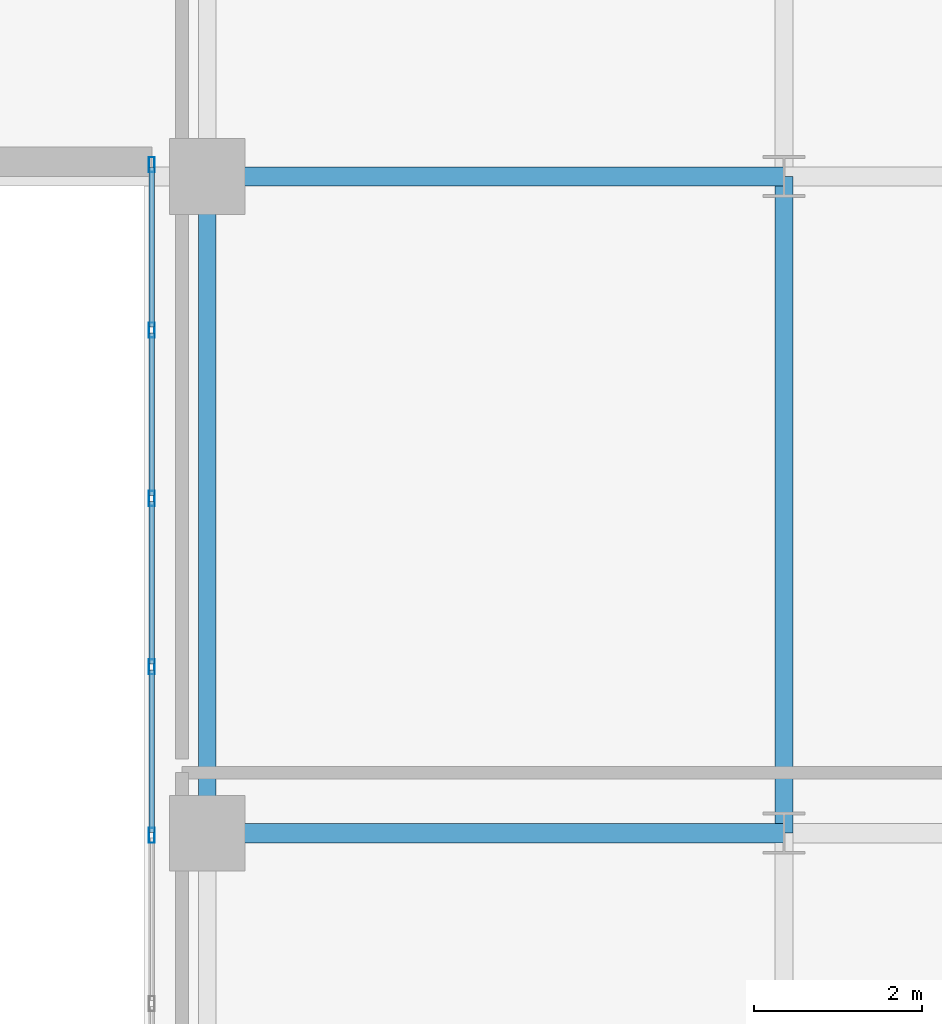
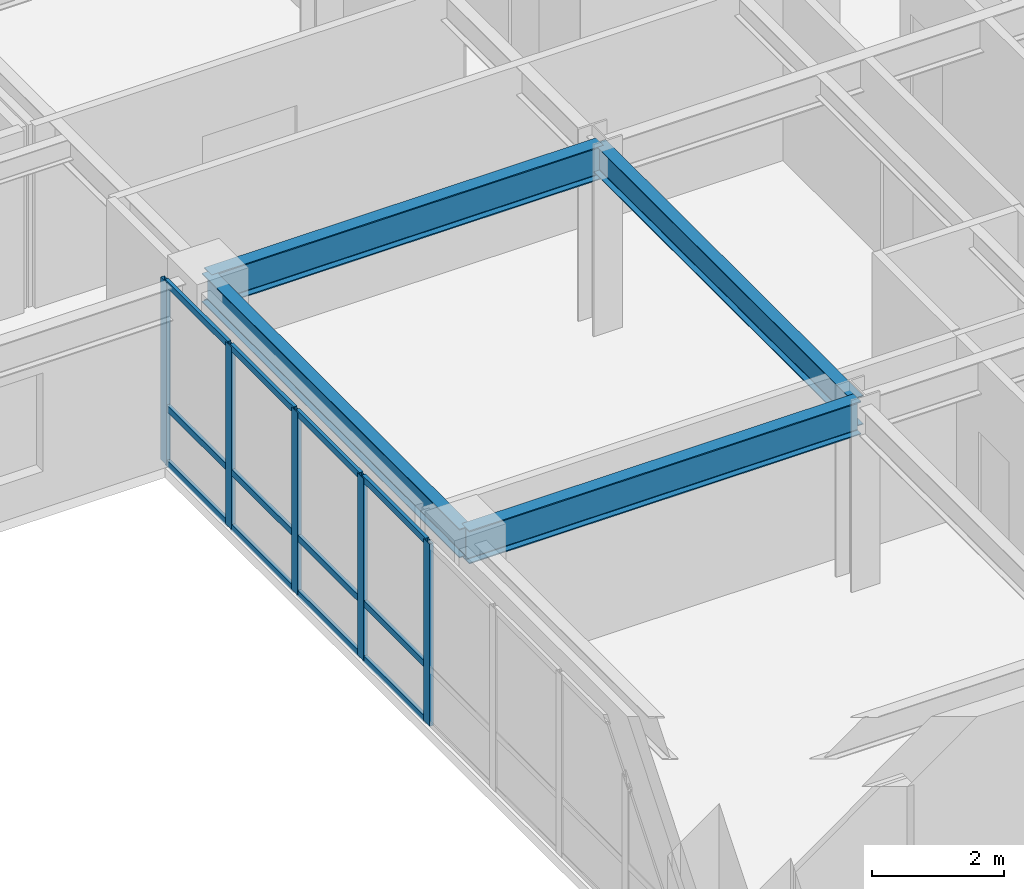
# One storey, part 15 of 30: 17 members, 4 beams, 1 element without a shape of its own.
"""IFC4 building model written with IfcOpenShell, lengths in metres."""

from ifc_helpers import new_model, si_unit, direction, frame, origin, origin_2d, place, context, subcontext, project, spatial, hollow_rectangle, i_section, extrude, source, transform, mapped, material, layer, layer_set, material_profile, profile_set, type_object, type_shapes, element, aggregate, save


model = new_model("IFC4")

# Units and contexts
model_context = context("Model", 3, precision=1e-05, world=origin(), true_north=direction((0.0, 1.0)))
body_context = subcontext(model_context, "Body", "Model", "MODEL_VIEW")
ifc_project = project(units=[si_unit("LENGTHUNIT", "METRE"), si_unit("AREAUNIT", "SQUARE_METRE"), si_unit("VOLUMEUNIT", "CUBIC_METRE"), si_unit("PLANEANGLEUNIT", "RADIAN"), si_unit("MASSUNIT", "GRAM", prefix="KILO")], contexts=[model_context])

# Site, building, storey
site_placement = place(None, origin())
site = spatial("IfcSite", under=ifc_project, at=site_placement, CompositionType="ELEMENT")
building_placement = place(site_placement, origin())
building = spatial("IfcBuilding", under=site, at=building_placement, Name="Tolvann Quenvar Hotel", CompositionType="ELEMENT")
storey_placement = place(building_placement, frame((0.0, 0.0, 100.89990234375)))
storey = spatial("IfcBuildingStorey", under=building, at=storey_placement, Name="L25", CompositionType="ELEMENT", Elevation=100.89990234375)

# Beams
ifc_material_1 = material(Name="Steel Grade 350", Category="steel")
ifc_material_profile_1 = material_profile(ifc_material_1, i_section(OverallWidth=0.22900390625, OverallDepth=0.612060546875, WebThickness=0.011962890625, FlangeThickness=0.01953125, FilletRadius=0.013916015625, at=origin_2d()), Name="610UB125")
ifc_profile_set_1 = profile_set([ifc_material_profile_1], Name="Steel Grade 350")
beam_type_1 = type_object("IfcBeamType", Name="BM_GIRD_610UB125", PredefinedType="BEAM", material=ifc_profile_set_1)
shared_shape_1 = source(origin(), body_context, "Body", "SweptSolid", [
    extrude(i_section(OverallWidth=0.22900390625, OverallDepth=0.612060546875, WebThickness=0.011962890625, FlangeThickness=0.01953125, FilletRadius=0.013916015625, at=origin_2d()), origin(), (0.0, 0.0, 1.0), 6.85009765625),
])
type_shapes(beam_type_1, [shared_shape_1])
for number, where, z_axis, x_axis, name in (
    (1, (34.949951171875, 8.199951171875, 3.064208984375), (1.0, 0.0, 0.0), (0.0, 1.0, 0.0), "BM-L25-EW-3-F3-H3"),
    (2, (34.949951171875, 16.0, 3.064208984375), (1.0, 0.0, 0.0), (0.0, 1.0, 0.0), "BM-L25-EW-4-F4-H4"),
):
    element("IfcBeam", number, at=place(storey_placement, frame(where, z_axis=z_axis, x_axis=x_axis)), inside=storey, type_object=beam_type_1, Name=name, PredefinedType="BEAM", context=body_context, shape_type="MappedRepresentation", body=[
        mapped(shared_shape_1, transform((0.0, 0.0, 0.0), x_axis=(1.0, 0.0, 0.0), y_axis=(0.0, 1.0, 0.0), z_axis=(0.0, 0.0, 1.0), scale=1.0)),
    ])
ifc_material_profile_2 = material_profile(ifc_material_1, i_section(OverallWidth=0.208984375, OverallDepth=0.532958984375, WebThickness=0.01025390625, FlangeThickness=0.015625, FilletRadius=0.013916015625, at=origin_2d()), Name="530UB92")
ifc_profile_set_2 = profile_set([ifc_material_profile_2], Name="Steel Grade 350")
beam_type_2 = type_object("IfcBeamType", Name="BM_GIRD_530UB92", PredefinedType="BEAM", material=ifc_profile_set_2)
shared_shape_2 = source(origin(), body_context, "Body", "SweptSolid", [
    extrude(i_section(OverallWidth=0.208984375, OverallDepth=0.532958984375, WebThickness=0.01025390625, FlangeThickness=0.015625, FilletRadius=0.013916015625, at=origin_2d()), origin(), (0.0, 0.0, 1.0), 7.800048828125),
])
type_shapes(beam_type_2, [shared_shape_2])
for number, where, z_axis, x_axis, name in (
    (3, (34.949951171875, 8.199951171875, 3.103515625), (0.0, 1.0, 0.0), (-1.0, 0.0, 0.0), "BM-L25-NS-F3-F4"),
    (4, (41.800048828125, 8.199951171875, 3.103515625), (0.0, 1.0, 0.0), (-1.0, 0.0, 0.0), "BM-L25-NS-H3-H4"),
):
    element("IfcBeam", number, at=place(storey_placement, frame(where, z_axis=z_axis, x_axis=x_axis)), inside=storey, type_object=beam_type_2, Name=name, PredefinedType="BEAM", context=body_context, shape_type="MappedRepresentation", body=[
        mapped(shared_shape_2, transform((0.0, 0.0, 0.0), x_axis=(1.0, 0.0, 0.0), y_axis=(0.0, 1.0, 0.0), z_axis=(0.0, 0.0, 1.0), scale=1.0)),
    ])

# Curtain wall, members
ifc_material_2 = material(Name="Thermally broken anodised architectural aluminium 6063-T6 and laminated low-E glass", Category="aluminium")
ifc_layer = layer(ifc_material_2, 0.179931640625)
ifc_layer_set = layer_set([ifc_layer], Name="Thermally broken anodised architectural aluminium 6063-T6 and laminated low-E glass")
curtain_wall_type = type_object("IfcCurtainWallType", Name="CW_SYS_SLOT_03", PredefinedType="USERDEFINED", material=ifc_layer_set)
curtain_wall_placement = place(storey_placement, origin())
curtain_wall = element("IfcCurtainWall", 5, at=curtain_wall_placement, inside=storey, type_object=curtain_wall_type, Name="Curtain Wall CW-SLOT-03 (CWR-L25-E07)", ObjectType="UNITISED CURTAIN WALL", PredefinedType="USERDEFINED")
ifc_material_3 = material(Name="Anodised architectural aluminium 6063-T6 framing", Category="aluminium")
ifc_material_profile_3 = material_profile(ifc_material_3, hollow_rectangle(XDim=0.070068359375, YDim=0.179931640625, WallThickness=0.00390625, at=origin_2d()), Name="180x70x4RHS")
ifc_profile_set_3 = profile_set([ifc_material_profile_3], Name="Anodised architectural aluminium 6063-T6 framing")
member_type_1 = type_object("IfcMemberType", Name="CW_MULL_180x70", PredefinedType="MULLION", material=ifc_profile_set_3)
shared_shape_3 = source(origin(), body_context, "Body", "SweptSolid", [
    extrude(hollow_rectangle(XDim=0.070068359375, YDim=0.179931640625, WallThickness=0.00390625, at=origin_2d()), origin(), (0.0, 0.0, 1.0), 3.3701171875),
])
type_shapes(member_type_1, [shared_shape_3])
member_1_placement = place(storey_placement, frame((34.2900390625, 16.139892578125, 0.0), z_axis=(0.0, 0.0, 1.0), x_axis=(1.0, 0.0, 0.0)))
member_1 = element("IfcMember", 6, at=member_1_placement, type_object=member_type_1, Name="CW-SLOT-03 mullion 1", PredefinedType="MULLION", context=body_context, shape_type="MappedRepresentation", body=[
    mapped(shared_shape_3, transform((0.0, 0.0, 0.0), x_axis=(1.0, 0.0, 0.0), y_axis=(0.0, 1.0, 0.0), z_axis=(0.0, 0.0, 1.0), scale=1.0)),
])
member_2_placement = place(storey_placement, frame((34.2900390625, 14.175048828125, 0.0), z_axis=(0.0, 0.0, 1.0), x_axis=(1.0, 0.0, 0.0)))
member_2 = element("IfcMember", 7, at=member_2_placement, type_object=member_type_1, Name="CW-SLOT-03 mullion 2", PredefinedType="MULLION", context=body_context, shape_type="MappedRepresentation", body=[
    mapped(shared_shape_3, transform((0.0, 0.0, 0.0), x_axis=(1.0, 0.0, 0.0), y_axis=(0.0, 1.0, 0.0), z_axis=(0.0, 0.0, 1.0), scale=1.0)),
])
member_3_placement = place(storey_placement, frame((34.2900390625, 12.175048828125, 0.0), z_axis=(0.0, 0.0, 1.0), x_axis=(1.0, 0.0, 0.0)))
member_3 = element("IfcMember", 8, at=member_3_placement, type_object=member_type_1, Name="CW-SLOT-03 mullion 3", PredefinedType="MULLION", context=body_context, shape_type="MappedRepresentation", body=[
    mapped(shared_shape_3, transform((0.0, 0.0, 0.0), x_axis=(1.0, 0.0, 0.0), y_axis=(0.0, 1.0, 0.0), z_axis=(0.0, 0.0, 1.0), scale=1.0)),
])
member_4_placement = place(storey_placement, frame((34.2900390625, 10.175048828125, 0.0), z_axis=(0.0, 0.0, 1.0), x_axis=(1.0, 0.0, 0.0)))
member_4 = element("IfcMember", 9, at=member_4_placement, type_object=member_type_1, Name="CW-SLOT-03 mullion 4", PredefinedType="MULLION", context=body_context, shape_type="MappedRepresentation", body=[
    mapped(shared_shape_3, transform((0.0, 0.0, 0.0), x_axis=(1.0, 0.0, 0.0), y_axis=(0.0, 1.0, 0.0), z_axis=(0.0, 0.0, 1.0), scale=1.0)),
])
member_5_placement = place(storey_placement, frame((34.2900390625, 8.175048828125, 0.0), z_axis=(0.0, 0.0, 1.0), x_axis=(1.0, 0.0, 0.0)))
member_5 = element("IfcMember", 10, at=member_5_placement, type_object=member_type_1, Name="CW-SLOT-03 mullion 5", PredefinedType="MULLION", context=body_context, shape_type="MappedRepresentation", body=[
    mapped(shared_shape_3, transform((0.0, 0.0, 0.0), x_axis=(1.0, 0.0, 0.0), y_axis=(0.0, 1.0, 0.0), z_axis=(0.0, 0.0, 1.0), scale=1.0)),
])
ifc_material_profile_4 = material_profile(ifc_material_3, hollow_rectangle(XDim=0.06005859375, YDim=0.1201171875, WallThickness=0.00341796875, at=origin_2d()), Name="120x60x3.5RHS")
ifc_profile_set_4 = profile_set([ifc_material_profile_4], Name="Anodised architectural aluminium 6063-T6 framing")
member_type_2 = type_object("IfcMemberType", Name="CW_TRAN_120x60", PredefinedType="USERDEFINED", material=ifc_profile_set_4)
shared_shape_4 = source(origin(), body_context, "Body", "SweptSolid", [
    extrude(hollow_rectangle(XDim=0.06005859375, YDim=0.1201171875, WallThickness=0.00341796875, at=origin_2d()), origin(), (0.0, 0.0, 1.0), 1.929931640625),
])
member_6_placement = place(storey_placement, frame((34.2900390625, 14.139892578125, 0.030029296875), z_axis=(0.0, -1.0, 0.0), x_axis=(1.0, 0.0, 0.0)))
member_6 = element("IfcMember", 11, at=member_6_placement, type_object=member_type_2, Name="CW-SLOT-03 transom 2.1", ObjectType="TRANSOM", PredefinedType="USERDEFINED", context=body_context, shape_type="MappedRepresentation", body=[
    mapped(shared_shape_4, transform((0.0, 0.0, 0.0), x_axis=(1.0, 0.0, 0.0), y_axis=(0.0, 1.0, 0.0), z_axis=(0.0, 0.0, 1.0), scale=1.0)),
])
member_7_placement = place(storey_placement, frame((34.2900390625, 14.139892578125, 1.050048828125), z_axis=(0.0, -1.0, 0.0), x_axis=(1.0, 0.0, 0.0)))
member_7 = element("IfcMember", 12, at=member_7_placement, type_object=member_type_2, Name="CW-SLOT-03 transom 2.2", ObjectType="TRANSOM", PredefinedType="USERDEFINED", context=body_context, shape_type="MappedRepresentation", body=[
    mapped(shared_shape_4, transform((0.0, 0.0, 0.0), x_axis=(1.0, 0.0, 0.0), y_axis=(0.0, 1.0, 0.0), z_axis=(0.0, 0.0, 1.0), scale=1.0)),
])
member_8_placement = place(storey_placement, frame((34.2900390625, 14.139892578125, 3.340087890625), z_axis=(0.0, -1.0, 0.0), x_axis=(1.0, 0.0, 0.0)))
member_8 = element("IfcMember", 13, at=member_8_placement, type_object=member_type_2, Name="CW-SLOT-03 transom 2.3", ObjectType="TRANSOM", PredefinedType="USERDEFINED", context=body_context, shape_type="MappedRepresentation", body=[
    mapped(shared_shape_4, transform((0.0, 0.0, 0.0), x_axis=(1.0, 0.0, 0.0), y_axis=(0.0, 1.0, 0.0), z_axis=(0.0, 0.0, 1.0), scale=1.0)),
])
member_9_placement = place(storey_placement, frame((34.2900390625, 12.139892578125, 0.030029296875), z_axis=(0.0, -1.0, 0.0), x_axis=(1.0, 0.0, 0.0)))
member_9 = element("IfcMember", 14, at=member_9_placement, type_object=member_type_2, Name="CW-SLOT-03 transom 3.1", ObjectType="TRANSOM", PredefinedType="USERDEFINED", context=body_context, shape_type="MappedRepresentation", body=[
    mapped(shared_shape_4, transform((0.0, 0.0, 0.0), x_axis=(1.0, 0.0, 0.0), y_axis=(0.0, 1.0, 0.0), z_axis=(0.0, 0.0, 1.0), scale=1.0)),
])
member_10_placement = place(storey_placement, frame((34.2900390625, 12.139892578125, 1.050048828125), z_axis=(0.0, -1.0, 0.0), x_axis=(1.0, 0.0, 0.0)))
member_10 = element("IfcMember", 15, at=member_10_placement, type_object=member_type_2, Name="CW-SLOT-03 transom 3.2", ObjectType="TRANSOM", PredefinedType="USERDEFINED", context=body_context, shape_type="MappedRepresentation", body=[
    mapped(shared_shape_4, transform((0.0, 0.0, 0.0), x_axis=(1.0, 0.0, 0.0), y_axis=(0.0, 1.0, 0.0), z_axis=(0.0, 0.0, 1.0), scale=1.0)),
])
member_11_placement = place(storey_placement, frame((34.2900390625, 12.139892578125, 3.340087890625), z_axis=(0.0, -1.0, 0.0), x_axis=(1.0, 0.0, 0.0)))
member_11 = element("IfcMember", 16, at=member_11_placement, type_object=member_type_2, Name="CW-SLOT-03 transom 3.3", ObjectType="TRANSOM", PredefinedType="USERDEFINED", context=body_context, shape_type="MappedRepresentation", body=[
    mapped(shared_shape_4, transform((0.0, 0.0, 0.0), x_axis=(1.0, 0.0, 0.0), y_axis=(0.0, 1.0, 0.0), z_axis=(0.0, 0.0, 1.0), scale=1.0)),
])
member_12_placement = place(storey_placement, frame((34.2900390625, 10.139892578125, 0.030029296875), z_axis=(0.0, -1.0, 0.0), x_axis=(1.0, 0.0, 0.0)))
member_12 = element("IfcMember", 17, at=member_12_placement, type_object=member_type_2, Name="CW-SLOT-03 transom 4.1", ObjectType="TRANSOM", PredefinedType="USERDEFINED", context=body_context, shape_type="MappedRepresentation", body=[
    mapped(shared_shape_4, transform((0.0, 0.0, 0.0), x_axis=(1.0, 0.0, 0.0), y_axis=(0.0, 1.0, 0.0), z_axis=(0.0, 0.0, 1.0), scale=1.0)),
])
member_13_placement = place(storey_placement, frame((34.2900390625, 10.139892578125, 1.050048828125), z_axis=(0.0, -1.0, 0.0), x_axis=(1.0, 0.0, 0.0)))
member_13 = element("IfcMember", 18, at=member_13_placement, type_object=member_type_2, Name="CW-SLOT-03 transom 4.2", ObjectType="TRANSOM", PredefinedType="USERDEFINED", context=body_context, shape_type="MappedRepresentation", body=[
    mapped(shared_shape_4, transform((0.0, 0.0, 0.0), x_axis=(1.0, 0.0, 0.0), y_axis=(0.0, 1.0, 0.0), z_axis=(0.0, 0.0, 1.0), scale=1.0)),
])
member_14_placement = place(storey_placement, frame((34.2900390625, 10.139892578125, 3.340087890625), z_axis=(0.0, -1.0, 0.0), x_axis=(1.0, 0.0, 0.0)))
member_14 = element("IfcMember", 19, at=member_14_placement, type_object=member_type_2, Name="CW-SLOT-03 transom 4.3", ObjectType="TRANSOM", PredefinedType="USERDEFINED", context=body_context, shape_type="MappedRepresentation", body=[
    mapped(shared_shape_4, transform((0.0, 0.0, 0.0), x_axis=(1.0, 0.0, 0.0), y_axis=(0.0, 1.0, 0.0), z_axis=(0.0, 0.0, 1.0), scale=1.0)),
])
shared_shape_5 = source(origin(), body_context, "Body", "SweptSolid", [
    extrude(hollow_rectangle(XDim=0.06005859375, YDim=0.1201171875, WallThickness=0.00341796875, at=origin_2d()), origin(), (0.0, 0.0, 1.0), 1.89501953125),
])
type_shapes(member_type_2, [shared_shape_4, shared_shape_5])
member_15_placement = place(storey_placement, frame((34.2900390625, 16.10498046875, 0.030029296875), z_axis=(0.0, -1.0, 0.0), x_axis=(1.0, 0.0, 0.0)))
member_15 = element("IfcMember", 20, at=member_15_placement, type_object=member_type_2, Name="CW-SLOT-03 transom 1.1", ObjectType="TRANSOM", PredefinedType="USERDEFINED", context=body_context, shape_type="MappedRepresentation", body=[
    mapped(shared_shape_5, transform((0.0, 0.0, 0.0), x_axis=(1.0, 0.0, 0.0), y_axis=(0.0, 1.0, 0.0), z_axis=(0.0, 0.0, 1.0), scale=1.0)),
])
member_16_placement = place(storey_placement, frame((34.2900390625, 16.10498046875, 1.050048828125), z_axis=(0.0, -1.0, 0.0), x_axis=(1.0, 0.0, 0.0)))
member_16 = element("IfcMember", 21, at=member_16_placement, type_object=member_type_2, Name="CW-SLOT-03 transom 1.2", ObjectType="TRANSOM", PredefinedType="USERDEFINED", context=body_context, shape_type="MappedRepresentation", body=[
    mapped(shared_shape_5, transform((0.0, 0.0, 0.0), x_axis=(1.0, 0.0, 0.0), y_axis=(0.0, 1.0, 0.0), z_axis=(0.0, 0.0, 1.0), scale=1.0)),
])
member_17_placement = place(storey_placement, frame((34.2900390625, 16.10498046875, 3.340087890625), z_axis=(0.0, -1.0, 0.0), x_axis=(1.0, 0.0, 0.0)))
member_17 = element("IfcMember", 22, at=member_17_placement, type_object=member_type_2, Name="CW-SLOT-03 transom 1.3", ObjectType="TRANSOM", PredefinedType="USERDEFINED", context=body_context, shape_type="MappedRepresentation", body=[
    mapped(shared_shape_5, transform((0.0, 0.0, 0.0), x_axis=(1.0, 0.0, 0.0), y_axis=(0.0, 1.0, 0.0), z_axis=(0.0, 0.0, 1.0), scale=1.0)),
])
aggregate(curtain_wall, [member_1, member_2, member_3, member_4, member_5, member_15, member_16, member_17, member_6, member_7, member_8, member_9, member_10, member_11, member_12, member_13, member_14])

save(model, "model.ifc")
